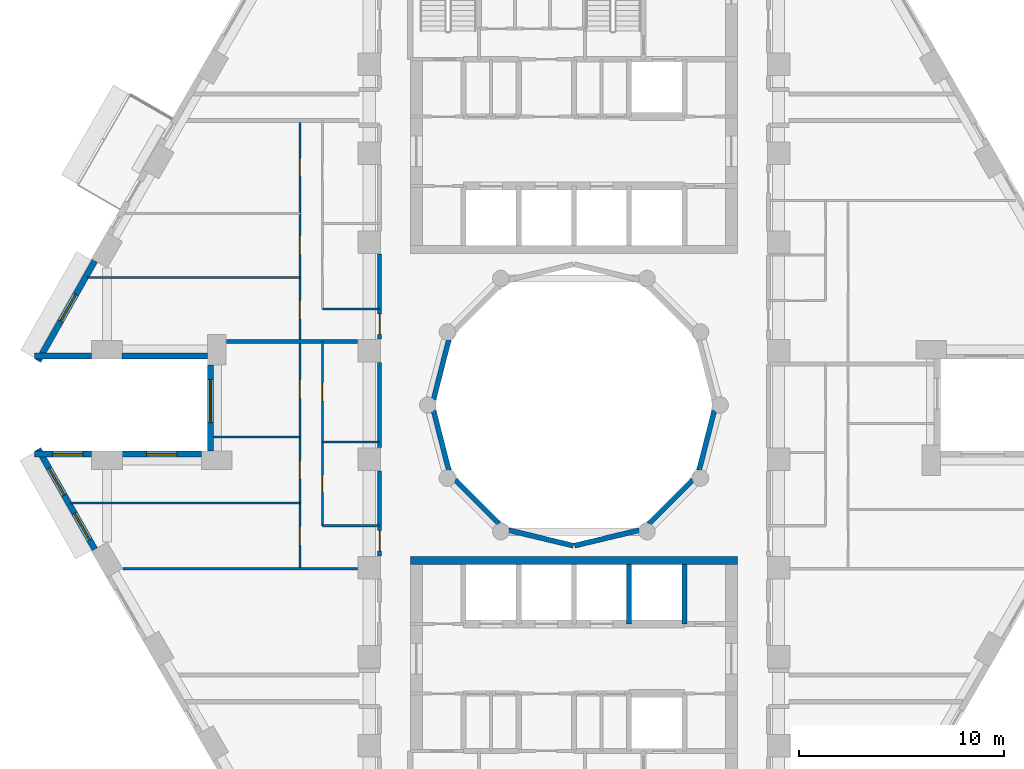
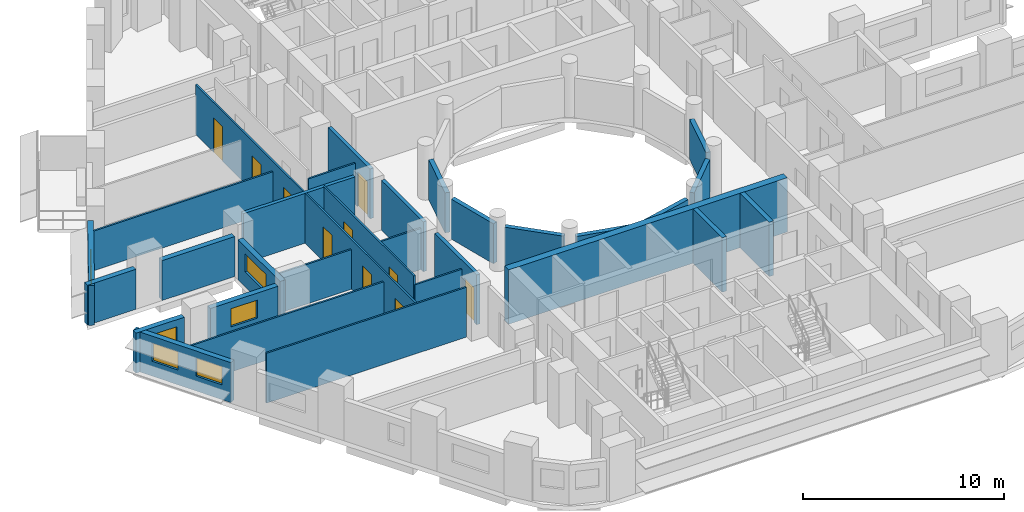
# One storey, part 4 of 13: 30 walls, 10 doors, 6 windows, 16 openings.
"""IFC4 building model written with IfcOpenShell, lengths in metres."""

import ifcopenshell
import ifcopenshell.guid

model = None  # the IFC model being written
_history = None  # IfcOwnerHistory: only IFC2X3 demands one
_inside = {}  # id of a spatial element -> (the spatial element, [elements in it])
_under = {}  # id of a project, library or spatial element -> (it, [spatial elements below it])
_declared = {}  # id of a project -> (the project, [libraries it declares])
_typed = {}  # id of a type object -> (the type object, [elements of that type])
_made_of = {}  # id of a material, layer set ... -> (it, [elements and type objects made of it])


def new_model(schema):
    """Start an empty IFC model of exactly this schema.

    Asked for "IFC4X3", IfcOpenShell would pick the latest addendum, in which some entities
    have other attributes; the version numbers below select the first issue.
    IFC2X3 requires an IfcOwnerHistory on every rooted entity: one is made here for all.
    """
    global model, _history
    if schema == "IFC4X3":
        model = ifcopenshell.file(schema_version=(4, 3, 0, 0))
    else:
        model = ifcopenshell.file(schema=schema)
    _inside.clear()
    _under.clear()
    _declared.clear()
    _typed.clear()
    _made_of.clear()
    _history = None
    if model.schema == "IFC2X3":
        org = make("IfcOrganization", Name="unknown")
        user = make(
            "IfcPersonAndOrganization",
            ThePerson=make("IfcPerson", FamilyName="unknown"),
            TheOrganization=org,
        )
        app = make(
            "IfcApplication",
            ApplicationDeveloper=org,
            Version="unknown",
            ApplicationFullName="unknown",
            ApplicationIdentifier="unknown",
        )
        _history = make(
            "IfcOwnerHistory",
            OwningUser=user,
            OwningApplication=app,
            ChangeAction="ADDED",
            CreationDate=0,
        )
    return model


def make(cls, **values):
    """One entity of the class cls with the attributes given. An attribute that is None is left unset."""
    return model.create_entity(
        cls, **{name: value for name, value in values.items() if value is not None}
    )


def rooted(cls, **values):
    """An entity with a GlobalId (a new one), such as an element, a storey or a relation."""
    return make(cls, GlobalId=ifcopenshell.guid.new(), OwnerHistory=_history, **values)


def si_unit(unit_type, name, prefix=None):
    """IfcSIUnit, for example si_unit("LENGTHUNIT", "METRE", prefix="MILLI")."""
    return make("IfcSIUnit", UnitType=unit_type, Prefix=prefix, Name=name)


def assignment(units):
    """IfcUnitAssignment: the units of a project."""
    return None if units is None else make("IfcUnitAssignment", Units=units)


def point(xyz):
    """IfcCartesianPoint."""
    return None if xyz is None else make("IfcCartesianPoint", Coordinates=xyz)


def direction(xyz):
    """IfcDirection."""
    return None if xyz is None else make("IfcDirection", DirectionRatios=xyz)


def frame(location, z_axis=None, x_axis=None):
    """IfcAxis2Placement3D, a coordinate frame: its origin and axes. An axis left out is left unset."""
    return make(
        "IfcAxis2Placement3D",
        Location=point(location),
        Axis=direction(z_axis),
        RefDirection=direction(x_axis),
    )


def frame_2d(location, x_axis=None):
    """IfcAxis2Placement2D, a coordinate frame in the plane: its origin and x axis."""
    return make(
        "IfcAxis2Placement2D", Location=point(location), RefDirection=direction(x_axis)
    )


def origin():
    """The frame at (0, 0, 0) with its axes left unset."""
    return frame((0.0, 0.0, 0.0))


def place(relative_to, where):
    """IfcLocalPlacement: puts the frame where relative to a parent placement (None: the world)."""
    return make(
        "IfcLocalPlacement", PlacementRelTo=relative_to, RelativePlacement=where
    )


def context(
    kind, dimensions, precision=None, world=None, true_north=None, identifier=None
):
    """IfcGeometricRepresentationContext, for example the 3D "Model" context."""
    return make(
        "IfcGeometricRepresentationContext",
        ContextIdentifier=identifier,
        ContextType=kind,
        CoordinateSpaceDimension=dimensions,
        Precision=precision,
        WorldCoordinateSystem=world,
        TrueNorth=true_north,
    )


def subcontext(parent, identifier, kind, view, scale=None):
    """IfcGeometricRepresentationSubContext, for example "Body" below "Model"."""
    return make(
        "IfcGeometricRepresentationSubContext",
        ContextIdentifier=identifier,
        ContextType=kind,
        ParentContext=parent,
        TargetScale=scale,
        TargetView=view,
    )


def project(units=None, contexts=None):
    """IfcProject with its units and contexts."""
    return rooted(
        "IfcProject",
        Name="project",
        RepresentationContexts=contexts,
        UnitsInContext=assignment(units),
    )


def spatial(cls, under=None, at=None, **own):
    """A site, building, storey or space (cls), placed at a placement, below another one or the project."""
    s = rooted(cls, ObjectPlacement=at, **own)
    if under is not None:
        _under.setdefault(under.id(), (under, []))[1].append(s)
    return s


def profile(cls, at=None, kind="AREA", **sizes):
    """A parametric profile (cls). Its sizes go by their IFC names, for example OverallWidth=200.0."""
    return make(cls, ProfileType=kind, Position=at, **sizes)


def rectangle(**sizes):
    """IfcRectangleProfileDef."""
    return profile("IfcRectangleProfileDef", **sizes)


def extrude(swept, where, along, depth):
    """IfcExtrudedAreaSolid: the profile swept, set in the frame where, extruded along a direction by depth."""
    return make(
        "IfcExtrudedAreaSolid",
        SweptArea=swept,
        Position=where,
        ExtrudedDirection=direction(along),
        Depth=depth,
    )


def shape(context_of_items, identifier, shape_type, items):
    """IfcShapeRepresentation: the items that make up one representation, for example the "Body"."""
    return make(
        "IfcShapeRepresentation",
        ContextOfItems=context_of_items,
        RepresentationIdentifier=identifier,
        RepresentationType=shape_type,
        Items=items,
    )


def material(Name=None, Category=None):
    """IfcMaterial."""
    return make("IfcMaterial", Name=Name, Category=Category)


def layer(
    of_material, thickness, ventilated=None, Name=None, Category=None, Priority=None
):
    """IfcMaterialLayer: one layer of a wall or slab, of a material (None: an air gap)."""
    return make(
        "IfcMaterialLayer",
        Material=of_material,
        LayerThickness=thickness,
        IsVentilated=ventilated,
        Name=Name,
        Category=Category,
        Priority=Priority,
    )


def layer_set(layers, Name=None):
    """IfcMaterialLayerSet."""
    return make("IfcMaterialLayerSet", MaterialLayers=layers, LayerSetName=Name)


def made_of(thing, what):
    """Note that an element or type object is made of a material, layer set ...; save() writes the relation."""
    if what is not None:
        _made_of.setdefault(what.id(), (what, []))[1].append(thing)
    return thing


def type_object(cls, material=None, **own):
    """A type object (cls), such as IfcWallType, which elements share."""
    return made_of(rooted(cls, **own), material)


def element(
    cls,
    number,
    at=None,
    inside=None,
    cuts=None,
    type_object=None,
    material=None,
    context=None,
    identifier="Body",
    shape_type=None,
    held_by="IfcProductDefinitionShape",
    body=None,
    shapes=None,
    **own,
):
    """One element of the class cls, such as IfcWall. Its Tag is "e" and its number.

    at: its placement. inside: the storey or other place that contains it. cuts: it is an
    opening in that element (IfcRelVoidsElement). A single representation is given by context,
    identifier, shape_type and body (its items); several are given by shapes. held_by: the class
    of the entity that holds the representations. save() writes the other relations.
    """
    e = rooted(cls, Tag="e%d" % number, ObjectPlacement=at, **own)
    if body is not None:
        shapes = [shape(context, identifier, shape_type, body)]
    if shapes is not None:
        e.Representation = make(held_by, Representations=shapes)
    if inside is not None:
        _inside.setdefault(inside.id(), (inside, []))[1].append(e)
    if cuts is not None:
        rooted(
            "IfcRelVoidsElement", RelatingBuildingElement=cuts, RelatedOpeningElement=e
        )
    if type_object is not None:
        _typed.setdefault(type_object.id(), (type_object, []))[1].append(e)
    return made_of(e, material)


def fill(opening, filler):
    """IfcRelFillsElement: the door or window that sits in an opening."""
    return rooted(
        "IfcRelFillsElement",
        RelatingOpeningElement=opening,
        RelatedBuildingElement=filler,
    )


def aggregate(whole, parts):
    """IfcRelAggregates: a whole, such as a stair, and the parts it consists of."""
    return rooted("IfcRelAggregates", RelatingObject=whole, RelatedObjects=parts)


def save(model, path):
    """Write the relations noted so far, then the file.

    IfcRelAggregates (storeys below a building ...), IfcRelContainedInSpatialStructure (elements
    in a storey), IfcRelDefinesByType, IfcRelAssociatesMaterial and IfcRelDeclares: one each for
    every whole, place, type object, material and project.
    """
    for whole, parts in _under.values():
        aggregate(whole, parts)
    for where, things in _inside.values():
        rooted(
            "IfcRelContainedInSpatialStructure",
            RelatedElements=things,
            RelatingStructure=where,
        )
    for kind, things in _typed.values():
        rooted("IfcRelDefinesByType", RelatedObjects=things, RelatingType=kind)
    for what, things in _made_of.values():
        rooted("IfcRelAssociatesMaterial", RelatedObjects=things, RelatingMaterial=what)
    for by, libraries in _declared.values():
        rooted("IfcRelDeclares", RelatingContext=by, RelatedDefinitions=libraries)
    model.write(path)


model = new_model("IFC4")

# Units and contexts
model_context = context("Model", 3, precision=1e-05, world=origin(), true_north=direction((0.0, 1.0)))
body_context = subcontext(model_context, "Body", "Model", "MODEL_VIEW")
ifc_project = project(units=[si_unit("LENGTHUNIT", "METRE"), si_unit("AREAUNIT", "SQUARE_METRE"), si_unit("VOLUMEUNIT", "CUBIC_METRE"), si_unit("PLANEANGLEUNIT", "RADIAN"), si_unit("MASSUNIT", "GRAM", prefix="KILO")], contexts=[model_context])

# Site, building, storey
site_placement = place(None, origin())
site = spatial("IfcSite", under=ifc_project, at=site_placement, CompositionType="ELEMENT")
building_placement = place(site_placement, origin())
building = spatial("IfcBuilding", under=site, at=building_placement, Name="Nakaniwa Court", CompositionType="ELEMENT")
storey_placement = place(building_placement, frame((0.0, 0.0, 48.0)))
storey = spatial("IfcBuildingStorey", under=building, at=storey_placement, Name="L12", CompositionType="ELEMENT", Elevation=48.0)

# Wall, opening, door
ifc_material_1 = material(Name="Acoustic double stud partition")
ifc_layer_1 = layer(ifc_material_1, 0.199951171875)
ifc_layer_set_1 = layer_set([ifc_layer_1], Name="Acoustic double stud partition")
wall_type_1 = type_object("IfcWallType", Name="Acoustic double stud partition 200", PredefinedType="PARTITIONING", material=ifc_layer_set_1)
wall_1_placement = place(storey_placement, frame((70.5, 72.616943359375, 0.0), z_axis=(0.0, 0.0, 1.0), x_axis=(0.0, 1.0, 0.0)))
wall_1 = element("IfcWall", 1, at=wall_1_placement, inside=storey, type_object=wall_type_1, Name="Partition PW-105", PredefinedType="PARTITIONING", context=body_context, shape_type="SweptSolid", body=[
    extrude(rectangle(XDim=4.166015625, YDim=0.199951171875, at=frame_2d((2.0830078125, 0.0))), origin(), (0.0, 0.0, 1.0), 3.02490234375),
])
opening_1_placement = place(wall_1_placement, frame((0.242919921875, 0.0, 0.0)))
opening_1 = element("IfcOpeningElement", 2, at=opening_1_placement, cuts=wall_1, Name="Opening D-01-03", PredefinedType="OPENING", context=body_context, shape_type="SweptSolid", body=[
    extrude(rectangle(XDim=1.0, YDim=2.10009765625, at=frame_2d((0.5, 1.050048828125))), frame((0.0, 0.10986328125, 0.0), z_axis=(0.0, -1.0, 0.0), x_axis=(1.0, 0.0, 0.0)), (0.0, 0.0, 1.0), 0.219970703125),
])
ifc_material_2 = material(Name="Solid core timber door set, black veneer", Category="wood")
door_type_1 = type_object("IfcDoorType", Name="Flat entrance door 1000", OperationType="NOTDEFINED", PredefinedType="DOOR", material=ifc_material_2)
door_1_placement = place(opening_1_placement, origin())
door_1 = element("IfcDoor", 3, at=door_1_placement, inside=storey, type_object=door_type_1, Name="Door D-01-03 L12-044", OperationType="SINGLE_SWING_LEFT", OverallHeight=2.10009765625, OverallWidth=1.0, PredefinedType="DOOR", context=body_context, shape_type="SweptSolid", body=[
    extrude(rectangle(XDim=1.0, YDim=2.10009765625, at=frame_2d((0.5, 1.050048828125))), frame((0.0, 0.02490234375, 0.0), z_axis=(0.0, -1.0, 0.0), x_axis=(1.0, 0.0, 0.0)), (0.0, 0.0, 1.0), 0.050048828125),
])
fill(opening_1, door_1)

# Wall
wall_2_placement = place(storey_placement, frame((70.5, 77.9169921875, 0.0), z_axis=(0.0, 0.0, 1.0), x_axis=(0.0, 1.0, 0.0)))
element("IfcWall", 4, at=wall_2_placement, inside=storey, type_object=wall_type_1, Name="Partition PW-106", PredefinedType="PARTITIONING", context=body_context, shape_type="SweptSolid", body=[
    extrude(rectangle(XDim=4.166015625, YDim=0.199951171875, at=frame_2d((2.0830078125, 0.0))), origin(), (0.0, 0.0, 1.0), 3.02490234375),
])

# Wall, opening, door
wall_3_placement = place(storey_placement, frame((70.5, 83.217041015625, 0.0), z_axis=(0.0, 0.0, 1.0), x_axis=(0.0, 1.0, 0.0)))
wall_3 = element("IfcWall", 5, at=wall_3_placement, inside=storey, type_object=wall_type_1, Name="Partition PW-107", PredefinedType="PARTITIONING", context=body_context, shape_type="SweptSolid", body=[
    extrude(rectangle(XDim=4.166015625, YDim=0.199951171875, at=frame_2d((2.0830078125, 0.0))), origin(), (0.0, 0.0, 1.0), 3.02490234375),
])
opening_2_placement = place(wall_3_placement, frame((0.242919921875, 0.0, 0.0)))
opening_2 = element("IfcOpeningElement", 6, at=opening_2_placement, cuts=wall_3, Name="Opening D-01-04", PredefinedType="OPENING", context=body_context, shape_type="SweptSolid", body=[
    extrude(rectangle(XDim=1.0, YDim=2.10009765625, at=frame_2d((0.5, 1.050048828125))), frame((0.0, 0.10986328125, 0.0), z_axis=(0.0, -1.0, 0.0), x_axis=(1.0, 0.0, 0.0)), (0.0, 0.0, 1.0), 0.219970703125),
])
door_2_placement = place(opening_2_placement, origin())
door_2 = element("IfcDoor", 7, at=door_2_placement, inside=storey, type_object=door_type_1, Name="Door D-01-04 L12-050", OperationType="SINGLE_SWING_LEFT", OverallHeight=2.10009765625, OverallWidth=1.0, PredefinedType="DOOR", context=body_context, shape_type="SweptSolid", body=[
    extrude(rectangle(XDim=1.0, YDim=2.10009765625, at=frame_2d((0.5, 1.050048828125))), frame((0.0, 0.02490234375, 0.0), z_axis=(0.0, -1.0, 0.0), x_axis=(1.0, 0.0, 0.0)), (0.0, 0.0, 1.0), 0.050048828125),
])
fill(opening_2, door_2)

# Wall
wall_4_placement = place(storey_placement, frame((63.01171875, 83.10009765625, 0.0), z_axis=(0.0, 0.0, 1.0), x_axis=(1.0, 0.0, 0.0)))
element("IfcWall", 8, at=wall_4_placement, inside=storey, type_object=wall_type_1, Name="Partition PW-130", PredefinedType="PARTITIONING", context=body_context, shape_type="SweptSolid", body=[
    extrude(rectangle(XDim=6.418212890625, YDim=0.199951171875, at=frame_2d((3.208984375, 0.0))), origin(), (0.0, 0.0, 1.0), 3.02490234375),
])

# Wall, opening, window
ifc_material_3 = material(Name="Charcoal ceramic cladding")
ifc_layer_2 = layer(ifc_material_3, 0.02, Name="Ceramic cladding")
ifc_material_4 = material(Name="Ventilated air cavity")
ifc_layer_3 = layer(ifc_material_4, 0.04, ventilated=True, Name="Ventilated cavity")
ifc_material_5 = material(Name="Mineral wool insulation")
ifc_layer_4 = layer(ifc_material_5, 0.1, Name="Insulation")
ifc_material_6 = material(Name="Cement bonded sheathing board")
ifc_layer_5 = layer(ifc_material_6, 0.012, Name="Sheathing")
ifc_material_7 = material(Name="Cold-formed galvanised stud frame with mineral wool infill")
ifc_layer_6 = layer(ifc_material_7, 0.1, Name="Stud frame")
ifc_material_8 = material(Name="Fire-rated gypsum plasterboard lining")
ifc_layer_7 = layer(ifc_material_8, 0.028, Name="Lining")
ifc_layer_set_2 = layer_set([ifc_layer_2, ifc_layer_3, ifc_layer_4, ifc_layer_5, ifc_layer_6, ifc_layer_7], Name="Charcoal ceramic faced external wall system")
wall_type_2 = type_object("IfcWallType", Name="Black ceramic faced external wall 300", PredefinedType="SOLIDWALL", material=ifc_layer_set_2)
wall_5_placement = place(storey_placement, frame((56.584228515625, 87.050537109375, 0.0), z_axis=(0.0, 0.0, 1.0), x_axis=(-0.492363204642, -0.870389840655, 0.0)))
wall_5 = element("IfcWall", 9, at=wall_5_placement, inside=storey, type_object=wall_type_2, Name="L12 external wall 14", PredefinedType="SOLIDWALL", context=body_context, shape_type="SweptSolid", body=[
    extrude(rectangle(XDim=5.62646484375, YDim=0.300048828125, at=frame_2d((2.813232421875, 0.0))), origin(), (0.0, 0.0, 1.0), 2.425048828125),
])
opening_3_placement = place(wall_5_placement, frame((1.8916015625, 0.0, 0.89990234375)))
opening_3 = element("IfcOpeningElement", 10, at=opening_3_placement, cuts=wall_5, Name="Opening W5.15", PredefinedType="OPENING", context=body_context, shape_type="SweptSolid", body=[
    extrude(rectangle(XDim=1.5, YDim=1.10009765625, at=frame_2d((0.75, 0.550048828125))), frame((0.0, 0.159912109375, 0.0), z_axis=(0.0, -1.0, 0.0), x_axis=(1.0, 0.0, 0.0)), (0.0, 0.0, 1.0), 0.320068359375),
])
ifc_material_9 = material(Name="Black anodised aluminium frame with dark low-E laminated double glazing", Category="aluminium")
window_type_1 = type_object("IfcWindowType", Name="Dark glass window 1500x1100 sill 900", PartitioningType="SINGLE_PANEL", PredefinedType="WINDOW", material=ifc_material_9)
window_1_placement = place(opening_3_placement, origin())
window_1 = element("IfcWindow", 11, at=window_1_placement, inside=storey, type_object=window_type_1, Name="L12 bedroom window 14-1", OverallHeight=1.10009765625, OverallWidth=1.5, PartitioningType="SINGLE_PANEL", PredefinedType="WINDOW", context=body_context, shape_type="SweptSolid", body=[
    extrude(rectangle(XDim=1.5, YDim=1.10009765625, at=frame_2d((0.75, 0.550048828125))), frame((0.0, 0.030029296875, 0.0), z_axis=(0.0, -1.0, 0.0), x_axis=(1.0, 0.0, 0.0)), (0.0, 0.0, 1.0), 0.06005859375),
])
fill(opening_3, window_1)

# Walls
wall_6_placement = place(storey_placement, frame((53.643310546875, 82.39990234375, 0.0), z_axis=(0.0, 0.0, 1.0), x_axis=(1.0, 0.0, 0.0)))
element("IfcWall", 12, at=wall_6_placement, inside=storey, type_object=wall_type_2, Name="L12 external wall 15", PredefinedType="SOLIDWALL", context=body_context, shape_type="SweptSolid", body=[
    extrude(rectangle(XDim=2.787841796875, YDim=0.300048828125, at=frame_2d((1.39404296875, 0.0))), origin(), (0.0, 0.0, 1.0), 2.425048828125),
])
wall_7_placement = place(storey_placement, frame((57.923095703125, 82.39990234375, 0.0), z_axis=(0.0, 0.0, 1.0), x_axis=(1.0, 0.0, 0.0)))
element("IfcWall", 13, at=wall_7_placement, inside=storey, type_object=wall_type_2, Name="L12 external wall 16", PredefinedType="SOLIDWALL", context=body_context, shape_type="SweptSolid", body=[
    extrude(rectangle(XDim=4.172607421875, YDim=0.300048828125, at=frame_2d((2.08642578125, 0.0))), origin(), (0.0, 0.0, 1.0), 2.425048828125),
])

# Wall, opening, window
wall_8_placement = place(storey_placement, frame((62.24169921875, 81.9541015625, 0.0), z_axis=(0.0, 0.0, 1.0), x_axis=(0.0, -1.0, 0.0)))
wall_8 = element("IfcWall", 14, at=wall_8_placement, inside=storey, type_object=wall_type_2, Name="L12 external wall 17", PredefinedType="SOLIDWALL", context=body_context, shape_type="SweptSolid", body=[
    extrude(rectangle(XDim=4.2080078125, YDim=0.300048828125, at=frame_2d((2.10400390625, 0.0))), origin(), (0.0, 0.0, 1.0), 2.425048828125),
])
opening_4_placement = place(wall_8_placement, frame((0.71630859375, 0.0, 0.89990234375)))
opening_4 = element("IfcOpeningElement", 15, at=opening_4_placement, cuts=wall_8, Name="Opening W7.16", PredefinedType="OPENING", context=body_context, shape_type="SweptSolid", body=[
    extrude(rectangle(XDim=2.10009765625, YDim=1.10009765625, at=frame_2d((1.050048828125, 0.550048828125))), frame((0.0, 0.159912109375, 0.0), z_axis=(0.0, -1.0, 0.0), x_axis=(1.0, 0.0, 0.0)), (0.0, 0.0, 1.0), 0.320068359375),
])
window_type_2 = type_object("IfcWindowType", Name="Dark glass window 2100x1100 sill 900", PartitioningType="SINGLE_PANEL", PredefinedType="WINDOW", material=ifc_material_9)
window_2_placement = place(opening_4_placement, origin())
window_2 = element("IfcWindow", 16, at=window_2_placement, inside=storey, type_object=window_type_2, Name="L12 living window 17-0", OverallHeight=1.10009765625, OverallWidth=2.10009765625, PartitioningType="SINGLE_PANEL", PredefinedType="WINDOW", context=body_context, shape_type="SweptSolid", body=[
    extrude(rectangle(XDim=2.10009765625, YDim=1.10009765625, at=frame_2d((1.050048828125, 0.550048828125))), frame((0.0, 0.030029296875, 0.0), z_axis=(0.0, -1.0, 0.0), x_axis=(1.0, 0.0, 0.0)), (0.0, 0.0, 1.0), 0.06005859375),
])
fill(opening_4, window_2)

wall_9_placement = place(storey_placement, frame((61.795654296875, 77.60009765625, 0.0), z_axis=(0.0, 0.0, 1.0), x_axis=(-1.0, 0.0, 0.0)))
wall_9 = element("IfcWall", 17, at=wall_9_placement, inside=storey, type_object=wall_type_2, Name="L12 external wall 18", PredefinedType="SOLIDWALL", context=body_context, shape_type="SweptSolid", body=[
    extrude(rectangle(XDim=3.87255859375, YDim=0.300048828125, at=frame_2d((1.936279296875, 0.0))), origin(), (0.0, 0.0, 1.0), 2.425048828125),
])
opening_5_placement = place(wall_9_placement, frame((1.186279296875, 0.0, 0.89990234375)))
opening_5 = element("IfcOpeningElement", 18, at=opening_5_placement, cuts=wall_9, Name="Opening W5.17", PredefinedType="OPENING", context=body_context, shape_type="SweptSolid", body=[
    extrude(rectangle(XDim=1.5, YDim=1.10009765625, at=frame_2d((0.75, 0.550048828125))), frame((0.0, 0.159912109375, 0.0), z_axis=(0.0, -1.0, 0.0), x_axis=(1.0, 0.0, 0.0)), (0.0, 0.0, 1.0), 0.320068359375),
])
window_3_placement = place(opening_5_placement, origin())
window_3 = element("IfcWindow", 19, at=window_3_placement, inside=storey, type_object=window_type_1, Name="L12 bedroom window 18-0", OverallHeight=1.10009765625, OverallWidth=1.5, PartitioningType="SINGLE_PANEL", PredefinedType="WINDOW", context=body_context, shape_type="SweptSolid", body=[
    extrude(rectangle(XDim=1.5, YDim=1.10009765625, at=frame_2d((0.75, 0.550048828125))), frame((0.0, 0.030029296875, 0.0), z_axis=(0.0, -1.0, 0.0), x_axis=(1.0, 0.0, 0.0)), (0.0, 0.0, 1.0), 0.06005859375),
])
fill(opening_5, window_3)

wall_10_placement = place(storey_placement, frame((56.43115234375, 77.60009765625, 0.0), z_axis=(0.0, 0.0, 1.0), x_axis=(-1.0, 0.0, 0.0)))
wall_10 = element("IfcWall", 20, at=wall_10_placement, inside=storey, type_object=wall_type_2, Name="L12 external wall 19", PredefinedType="SOLIDWALL", context=body_context, shape_type="SweptSolid", body=[
    extrude(rectangle(XDim=2.787841796875, YDim=0.300048828125, at=frame_2d((1.39404296875, 0.0))), origin(), (0.0, 0.0, 1.0), 2.425048828125),
])
opening_6_placement = place(wall_10_placement, frame((0.4189453125, 0.0, 0.89990234375)))
opening_6 = element("IfcOpeningElement", 21, at=opening_6_placement, cuts=wall_10, Name="Opening W5.18", PredefinedType="OPENING", context=body_context, shape_type="SweptSolid", body=[
    extrude(rectangle(XDim=1.5, YDim=1.10009765625, at=frame_2d((0.75, 0.550048828125))), frame((0.0, 0.159912109375, 0.0), z_axis=(0.0, -1.0, 0.0), x_axis=(1.0, 0.0, 0.0)), (0.0, 0.0, 1.0), 0.320068359375),
])
window_4_placement = place(opening_6_placement, origin())
window_4 = element("IfcWindow", 22, at=window_4_placement, inside=storey, type_object=window_type_1, Name="L12 bedroom window 19-0", OverallHeight=1.10009765625, OverallWidth=1.5, PartitioningType="SINGLE_PANEL", PredefinedType="WINDOW", context=body_context, shape_type="SweptSolid", body=[
    extrude(rectangle(XDim=1.5, YDim=1.10009765625, at=frame_2d((0.75, 0.550048828125))), frame((0.0, 0.030029296875, 0.0), z_axis=(0.0, -1.0, 0.0), x_axis=(1.0, 0.0, 0.0)), (0.0, 0.0, 1.0), 0.06005859375),
])
fill(opening_6, window_4)

# Wall, openings, windows
wall_11_placement = place(storey_placement, frame((53.81396484375, 77.8466796875, 0.0), z_axis=(0.0, 0.0, 1.0), x_axis=(0.492363204642, -0.870389840655, 0.0)))
wall_11 = element("IfcWall", 23, at=wall_11_placement, inside=storey, type_object=wall_type_2, Name="L12 external wall 20", PredefinedType="SOLIDWALL", context=body_context, shape_type="SweptSolid", body=[
    extrude(rectangle(XDim=5.62646484375, YDim=0.300048828125, at=frame_2d((2.813232421875, 0.0))), origin(), (0.0, 0.0, 1.0), 2.425048828125),
])
opening_7_placement = place(wall_11_placement, frame((1.081298828125, 0.0, 0.89990234375)))
opening_7 = element("IfcOpeningElement", 24, at=opening_7_placement, cuts=wall_11, Name="Opening W5.19", PredefinedType="OPENING", context=body_context, shape_type="SweptSolid", body=[
    extrude(rectangle(XDim=1.5, YDim=1.10009765625, at=frame_2d((0.75, 0.550048828125))), frame((0.0, 0.159912109375, 0.0), z_axis=(0.0, -1.0, 0.0), x_axis=(1.0, 0.0, 0.0)), (0.0, 0.0, 1.0), 0.320068359375),
])
opening_8_placement = place(wall_11_placement, frame((3.60595703125, 0.0, 0.89990234375)))
opening_8 = element("IfcOpeningElement", 25, at=opening_8_placement, cuts=wall_11, Name="Opening W5.20", PredefinedType="OPENING", context=body_context, shape_type="SweptSolid", body=[
    extrude(rectangle(XDim=1.5, YDim=1.10009765625, at=frame_2d((0.75, 0.550048828125))), frame((0.0, 0.159912109375, 0.0), z_axis=(0.0, -1.0, 0.0), x_axis=(1.0, 0.0, 0.0)), (0.0, 0.0, 1.0), 0.320068359375),
])
window_5_placement = place(opening_7_placement, origin())
window_5 = element("IfcWindow", 26, at=window_5_placement, inside=storey, type_object=window_type_1, Name="L12 bedroom window 20-0", OverallHeight=1.10009765625, OverallWidth=1.5, PartitioningType="SINGLE_PANEL", PredefinedType="WINDOW", context=body_context, shape_type="SweptSolid", body=[
    extrude(rectangle(XDim=1.5, YDim=1.10009765625, at=frame_2d((0.75, 0.550048828125))), frame((0.0, 0.030029296875, 0.0), z_axis=(0.0, -1.0, 0.0), x_axis=(1.0, 0.0, 0.0)), (0.0, 0.0, 1.0), 0.06005859375),
])
fill(opening_7, window_5)
window_6_placement = place(opening_8_placement, origin())
window_6 = element("IfcWindow", 27, at=window_6_placement, inside=storey, type_object=window_type_1, Name="L12 bedroom window 20-1", OverallHeight=1.10009765625, OverallWidth=1.5, PartitioningType="SINGLE_PANEL", PredefinedType="WINDOW", context=body_context, shape_type="SweptSolid", body=[
    extrude(rectangle(XDim=1.5, YDim=1.10009765625, at=frame_2d((0.75, 0.550048828125))), frame((0.0, 0.030029296875, 0.0), z_axis=(0.0, -1.0, 0.0), x_axis=(1.0, 0.0, 0.0)), (0.0, 0.0, 1.0), 0.06005859375),
])
fill(opening_8, window_6)

# Walls
ifc_layer_8 = layer(ifc_material_3, 0.02, Name="Ceramic cladding")
ifc_layer_9 = layer(ifc_material_4, 0.04, ventilated=True, Name="Ventilated cavity")
ifc_layer_10 = layer(ifc_material_5, 0.075, Name="Insulation")
ifc_layer_11 = layer(ifc_material_6, 0.012, Name="Sheathing")
ifc_layer_12 = layer(ifc_material_7, 0.075, Name="Stud frame")
ifc_layer_13 = layer(ifc_material_8, 0.028, Name="Lining")
ifc_layer_set_3 = layer_set([ifc_layer_8, ifc_layer_9, ifc_layer_10, ifc_layer_11, ifc_layer_12, ifc_layer_13], Name="Charcoal ceramic faced external wall system")
wall_type_3 = type_object("IfcWallType", Name="Charcoal ceramic faced well wall 250", PredefinedType="SOLIDWALL", material=ifc_layer_set_3)
wall_12_placement = place(storey_placement, frame((86.8603515625, 79.72998046875, 0.0), z_axis=(0.0, 0.0, 1.0), x_axis=(-0.247055971283, -0.969001211069, 0.0)))
element("IfcWall", 28, at=wall_12_placement, inside=storey, type_object=wall_type_3, Name="L12 external wall 36", PredefinedType="SOLIDWALL", context=body_context, shape_type="SweptSolid", body=[
    extrude(rectangle(XDim=3.010009765625, YDim=0.25, at=frame_2d((1.5048828125, 0.0))), origin(), (0.0, 0.0, 1.0), 2.425048828125),
])
wall_13_placement = place(storey_placement, frame((85.8056640625, 76.339111328125, 0.0), z_axis=(0.0, 0.0, 1.0), x_axis=(-0.707106781187, -0.707106781187, 0.0)))
element("IfcWall", 29, at=wall_13_placement, inside=storey, type_object=wall_type_3, Name="L12 external wall 37", PredefinedType="SOLIDWALL", context=body_context, shape_type="SweptSolid", body=[
    extrude(rectangle(XDim=3.033203125, YDim=0.25, at=frame_2d((1.5166015625, 0.0))), origin(), (0.0, 0.0, 1.0), 2.425048828125),
])
for number, where, z_axis, x_axis, name in (
    (30, (83.186279296875, 73.880615234375, 0.0), (0.0, 0.0, 1.0), (-0.972773113459, -0.231759508395, 0.0), "L12 external wall 38"),
    (31, (79.970947265625, 73.12841796875, 0.0), (0.0, 0.0, 1.0), (-0.972773113459, 0.231759508395, 0.0), "L12 external wall 39"),
):
    element("IfcWall", number, at=place(storey_placement, frame(where, z_axis=z_axis, x_axis=x_axis)), inside=storey, type_object=wall_type_3, Name=name, PredefinedType="SOLIDWALL", context=body_context, shape_type="SweptSolid", body=[
        extrude(rectangle(XDim=3.24560546875, YDim=0.25, at=frame_2d((1.622802734375, 0.0))), origin(), (0.0, 0.0, 1.0), 2.425048828125),
    ])
wall_14_placement = place(storey_placement, frame((76.339111328125, 74.1943359375, 0.0), z_axis=(0.0, 0.0, 1.0), x_axis=(-0.707106781187, 0.707106781187, 0.0)))
element("IfcWall", 32, at=wall_14_placement, inside=storey, type_object=wall_type_3, Name="L12 external wall 40", PredefinedType="SOLIDWALL", context=body_context, shape_type="SweptSolid", body=[
    extrude(rectangle(XDim=3.033203125, YDim=0.25, at=frame_2d((1.5166015625, 0.0))), origin(), (0.0, 0.0, 1.0), 2.425048828125),
])
for number, where, z_axis, x_axis, name in (
    (33, (73.88330078125, 76.813232421875, 0.0), (0.0, 0.0, 1.0), (-0.247055971283, 0.969001211069, 0.0), "L12 external wall 41"),
    (34, (73.1396484375, 80.27001953125, 0.0), (0.0, 0.0, 1.0), (0.247055971283, 0.969001211069, 0.0), "L12 external wall 42"),
):
    element("IfcWall", number, at=place(storey_placement, frame(where, z_axis=z_axis, x_axis=x_axis)), inside=storey, type_object=wall_type_3, Name=name, PredefinedType="SOLIDWALL", context=body_context, shape_type="SweptSolid", body=[
        extrude(rectangle(XDim=3.010009765625, YDim=0.25, at=frame_2d((1.5048828125, 0.0))), origin(), (0.0, 0.0, 1.0), 2.425048828125),
    ])
ifc_material_10 = material(Name="Concrete C100/115", Category="concrete")
ifc_layer_14 = layer(ifc_material_10, 0.39990234375)
ifc_layer_set_4 = layer_set([ifc_layer_14], Name="Concrete C100/115")
wall_type_4 = type_object("IfcWallType", Name="Concrete core well wall 400 C100", PredefinedType="SHEAR", material=ifc_layer_set_4)
wall_15_placement = place(storey_placement, frame((72.00390625, 72.39990234375, -0.27490234375), z_axis=(0.0, 0.0, 1.0), x_axis=(1.0, 0.0, 0.0)))
element("IfcWall", 35, at=wall_15_placement, inside=storey, type_object=wall_type_4, Name="Core wall SW-140", PredefinedType="SHEAR", context=body_context, shape_type="SweptSolid", body=[
    extrude(rectangle(XDim=15.9921875, YDim=0.39990234375, at=frame_2d((7.99609375, 0.0))), origin(), (0.0, 0.0, 1.0), 3.2998046875),
])
ifc_layer_15 = layer(ifc_material_10, 0.25)
ifc_layer_set_5 = layer_set([ifc_layer_15], Name="Concrete C100/115")
wall_type_5 = type_object("IfcWallType", Name="Concrete shaft wall 250 C100", PredefinedType="SHEAR", material=ifc_layer_set_5)
for number, where, z_axis, x_axis, name in (
    (36, (82.699951171875, 69.300048828125, -0.27490234375), (0.0, 0.0, 1.0), (0.0, 1.0, 0.0), "Core wall SW-47"),
    (37, (85.39990234375, 69.300048828125, -0.27490234375), (0.0, 0.0, 1.0), (0.0, 1.0, 0.0), "Core wall SW-49"),
):
    element("IfcWall", number, at=place(storey_placement, frame(where, z_axis=z_axis, x_axis=x_axis)), inside=storey, type_object=wall_type_5, Name=name, PredefinedType="SHEAR", context=body_context, shape_type="SweptSolid", body=[
        extrude(rectangle(XDim=2.89990234375, YDim=0.25, at=frame_2d((1.449951171875, 0.0))), origin(), (0.0, 0.0, 1.0), 3.2998046875),
    ])
ifc_material_11 = material(Name="Single stud plasterboard partition")
ifc_layer_16 = layer(ifc_material_11, 0.10009765625)
ifc_layer_set_6 = layer_set([ifc_layer_16], Name="Single stud plasterboard partition")
wall_type_6 = type_object("IfcWallType", Name="Single stud plasterboard partition 100", PredefinedType="PARTITIONING", material=ifc_layer_set_6)
wall_16_placement = place(storey_placement, frame((67.699951171875, 74.10009765625, 0.0), z_axis=(0.0, 0.0, 1.0), x_axis=(1.0, 0.0, 0.0)))
element("IfcWall", 38, at=wall_16_placement, inside=storey, type_object=wall_type_6, Name="Partition PW-114", PredefinedType="PARTITIONING", context=body_context, shape_type="SweptSolid", body=[
    extrude(rectangle(XDim=2.800048828125, YDim=0.10009765625, at=frame_2d((1.39990234375, 0.0))), origin(), (0.0, 0.0, 1.0), 2.5048828125),
])
wall_17_placement = place(storey_placement, frame((57.96826171875, 72.0, 0.0), z_axis=(0.0, 0.0, 1.0), x_axis=(1.0, 0.0, 0.0)))
element("IfcWall", 39, at=wall_17_placement, inside=storey, type_object=wall_type_6, Name="Partition PW-120", PredefinedType="PARTITIONING", context=body_context, shape_type="SweptSolid", body=[
    extrude(rectangle(XDim=11.461669921875, YDim=0.10009765625, at=frame_2d((5.73095703125, 0.0))), origin(), (0.0, 0.0, 1.0), 3.02490234375),
])
wall_18_placement = place(storey_placement, frame((67.699951171875, 78.19091796875, 0.0), z_axis=(0.0, 0.0, 1.0), x_axis=(1.0, 0.0, 0.0)))
element("IfcWall", 40, at=wall_18_placement, inside=storey, type_object=wall_type_6, Name="Partition PW-127", PredefinedType="PARTITIONING", context=body_context, shape_type="SweptSolid", body=[
    extrude(rectangle(XDim=2.800048828125, YDim=0.10009765625, at=frame_2d((1.39990234375, 0.0))), origin(), (0.0, 0.0, 1.0), 2.5048828125),
])

# Wall, openings, doors
wall_19_placement = place(storey_placement, frame((67.699951171875, 83.10009765625, 0.0), z_axis=(0.0, 0.0, 1.0), x_axis=(0.0, -1.0, 0.0)))
wall_19 = element("IfcWall", 41, at=wall_19_placement, inside=storey, type_object=wall_type_6, Name="Partition PW-128", PredefinedType="PARTITIONING", context=body_context, shape_type="SweptSolid", body=[
    extrude(rectangle(XDim=9.0, YDim=0.10009765625, at=frame_2d((4.5, 0.0))), origin(), (0.0, 0.0, 1.0), 3.02490234375),
])
opening_9_placement = place(wall_19_placement, frame((6.530029296875, 0.0, 0.0)))
opening_9 = element("IfcOpeningElement", 42, at=opening_9_placement, cuts=wall_19, Name="Opening D-03-03", PredefinedType="OPENING", context=body_context, shape_type="SweptSolid", body=[
    extrude(rectangle(XDim=0.85009765625, YDim=2.10009765625, at=frame_2d((0.425048828125, 1.050048828125))), frame((0.0, 0.06005859375, 0.0), z_axis=(0.0, -1.0, 0.0), x_axis=(1.0, 0.0, 0.0)), (0.0, 0.0, 1.0), 0.1201171875),
])
opening_10_placement = place(wall_19_placement, frame((2.0048828125, 0.0, 0.0)))
opening_10 = element("IfcOpeningElement", 43, at=opening_10_placement, cuts=wall_19, Name="Opening D-33-07", PredefinedType="OPENING", context=body_context, shape_type="SweptSolid", body=[
    extrude(rectangle(XDim=0.89990234375, YDim=2.10009765625, at=frame_2d((0.449951171875, 1.050048828125))), frame((0.0, 0.06005859375, 0.0), z_axis=(0.0, -1.0, 0.0), x_axis=(1.0, 0.0, 0.0)), (0.0, 0.0, 1.0), 0.1201171875),
])
ifc_material_12 = material(Name="Moisture sealed timber door set", Category="wood")
door_type_2 = type_object("IfcDoorType", Name="Bathroom door 850", OperationType="NOTDEFINED", PredefinedType="DOOR", material=ifc_material_12)
door_3_placement = place(opening_9_placement, origin())
door_3 = element("IfcDoor", 44, at=door_3_placement, inside=storey, type_object=door_type_2, Name="Door D-03-03 L12-045", OperationType="SINGLE_SWING_RIGHT", OverallHeight=2.10009765625, OverallWidth=0.85009765625, PredefinedType="DOOR", context=body_context, shape_type="SweptSolid", body=[
    extrude(rectangle(XDim=0.85009765625, YDim=2.10009765625, at=frame_2d((0.425048828125, 1.050048828125))), frame((0.0, 0.02490234375, 0.0), z_axis=(0.0, -1.0, 0.0), x_axis=(1.0, 0.0, 0.0)), (0.0, 0.0, 1.0), 0.050048828125),
])
fill(opening_9, door_3)
door_type_3 = type_object("IfcDoorType", Name="Internal door 900", OperationType="NOTDEFINED", PredefinedType="DOOR", material=ifc_material_2)
door_4_placement = place(opening_10_placement, origin())
door_4 = element("IfcDoor", 45, at=door_4_placement, inside=storey, type_object=door_type_3, Name="Door D-33-07 L12-046", OperationType="SINGLE_SWING_LEFT", OverallHeight=2.10009765625, OverallWidth=0.89990234375, PredefinedType="DOOR", context=body_context, shape_type="SweptSolid", body=[
    extrude(rectangle(XDim=0.89990234375, YDim=2.10009765625, at=frame_2d((0.449951171875, 1.050048828125))), frame((0.0, 0.02490234375, 0.0), z_axis=(0.0, -1.0, 0.0), x_axis=(1.0, 0.0, 0.0)), (0.0, 0.0, 1.0), 0.050048828125),
])
fill(opening_10, door_4)

wall_20_placement = place(storey_placement, frame((66.60009765625, 72.0, 0.0), z_axis=(0.0, 0.0, 1.0), x_axis=(0.0, 1.0, 0.0)))
wall_20 = element("IfcWall", 46, at=wall_20_placement, inside=storey, type_object=wall_type_6, Name="Partition PW-131", PredefinedType="PARTITIONING", context=body_context, shape_type="SweptSolid", body=[
    extrude(rectangle(XDim=21.89990234375, YDim=0.10009765625, at=frame_2d((10.949951171875, 0.0))), origin(), (0.0, 0.0, 1.0), 3.02490234375),
])
opening_11_placement = place(wall_20_placement, frame((1.160888671875, 0.0, 0.0)))
opening_11 = element("IfcOpeningElement", 47, at=opening_11_placement, cuts=wall_20, Name="Opening D-33-08", PredefinedType="OPENING", context=body_context, shape_type="SweptSolid", body=[
    extrude(rectangle(XDim=0.89990234375, YDim=2.10009765625, at=frame_2d((0.449951171875, 1.050048828125))), frame((0.0, 0.06005859375, 0.0), z_axis=(0.0, -1.0, 0.0), x_axis=(1.0, 0.0, 0.0)), (0.0, 0.0, 1.0), 0.1201171875),
])
opening_12_placement = place(wall_20_placement, frame((4.384033203125, 0.0, 0.0)))
opening_12 = element("IfcOpeningElement", 48, at=opening_12_placement, cuts=wall_20, Name="Opening D-33-09", PredefinedType="OPENING", context=body_context, shape_type="SweptSolid", body=[
    extrude(rectangle(XDim=0.89990234375, YDim=2.10009765625, at=frame_2d((0.449951171875, 1.050048828125))), frame((0.0, 0.06005859375, 0.0), z_axis=(0.0, -1.0, 0.0), x_axis=(1.0, 0.0, 0.0)), (0.0, 0.0, 1.0), 0.1201171875),
])
opening_13_placement = place(wall_20_placement, frame((8.322998046875, 0.0, 0.0)))
opening_13 = element("IfcOpeningElement", 49, at=opening_13_placement, cuts=wall_20, Name="Opening D-33-10", PredefinedType="OPENING", context=body_context, shape_type="SweptSolid", body=[
    extrude(rectangle(XDim=0.89990234375, YDim=2.10009765625, at=frame_2d((0.449951171875, 1.050048828125))), frame((0.0, 0.06005859375, 0.0), z_axis=(0.0, -1.0, 0.0), x_axis=(1.0, 0.0, 0.0)), (0.0, 0.0, 1.0), 0.1201171875),
])
opening_14_placement = place(wall_20_placement, frame((12.218017578125, 0.0, 0.0)))
opening_14 = element("IfcOpeningElement", 50, at=opening_14_placement, cuts=wall_20, Name="Opening D-33-12", PredefinedType="OPENING", context=body_context, shape_type="SweptSolid", body=[
    extrude(rectangle(XDim=0.89990234375, YDim=2.10009765625, at=frame_2d((0.449951171875, 1.050048828125))), frame((0.0, 0.06005859375, 0.0), z_axis=(0.0, -1.0, 0.0), x_axis=(1.0, 0.0, 0.0)), (0.0, 0.0, 1.0), 0.1201171875),
])
opening_15_placement = place(wall_20_placement, frame((15.35302734375, 0.0, 0.0)))
opening_15 = element("IfcOpeningElement", 51, at=opening_15_placement, cuts=wall_20, Name="Opening D-33-13", PredefinedType="OPENING", context=body_context, shape_type="SweptSolid", body=[
    extrude(rectangle(XDim=0.89990234375, YDim=2.10009765625, at=frame_2d((0.449951171875, 1.050048828125))), frame((0.0, 0.06005859375, 0.0), z_axis=(0.0, -1.0, 0.0), x_axis=(1.0, 0.0, 0.0)), (0.0, 0.0, 1.0), 0.1201171875),
])
opening_16_placement = place(wall_20_placement, frame((19.18603515625, 0.0, 0.0)))
opening_16 = element("IfcOpeningElement", 52, at=opening_16_placement, cuts=wall_20, Name="Opening D-33-14", PredefinedType="OPENING", context=body_context, shape_type="SweptSolid", body=[
    extrude(rectangle(XDim=0.89990234375, YDim=2.10009765625, at=frame_2d((0.449951171875, 1.050048828125))), frame((0.0, 0.06005859375, 0.0), z_axis=(0.0, -1.0, 0.0), x_axis=(1.0, 0.0, 0.0)), (0.0, 0.0, 1.0), 0.1201171875),
])
door_5_placement = place(opening_11_placement, origin())
door_5 = element("IfcDoor", 53, at=door_5_placement, inside=storey, type_object=door_type_3, Name="Door D-33-08 L12-047", OperationType="SINGLE_SWING_RIGHT", OverallHeight=2.10009765625, OverallWidth=0.89990234375, PredefinedType="DOOR", context=body_context, shape_type="SweptSolid", body=[
    extrude(rectangle(XDim=0.89990234375, YDim=2.10009765625, at=frame_2d((0.449951171875, 1.050048828125))), frame((0.0, 0.02490234375, 0.0), z_axis=(0.0, -1.0, 0.0), x_axis=(1.0, 0.0, 0.0)), (0.0, 0.0, 1.0), 0.050048828125),
])
fill(opening_11, door_5)
door_6_placement = place(opening_12_placement, origin())
door_6 = element("IfcDoor", 54, at=door_6_placement, inside=storey, type_object=door_type_3, Name="Door D-33-09 L12-048", OperationType="SINGLE_SWING_LEFT", OverallHeight=2.10009765625, OverallWidth=0.89990234375, PredefinedType="DOOR", context=body_context, shape_type="SweptSolid", body=[
    extrude(rectangle(XDim=0.89990234375, YDim=2.10009765625, at=frame_2d((0.449951171875, 1.050048828125))), frame((0.0, 0.02490234375, 0.0), z_axis=(0.0, -1.0, 0.0), x_axis=(1.0, 0.0, 0.0)), (0.0, 0.0, 1.0), 0.050048828125),
])
fill(opening_12, door_6)
door_7_placement = place(opening_13_placement, origin())
door_7 = element("IfcDoor", 55, at=door_7_placement, inside=storey, type_object=door_type_3, Name="Door D-33-10 L12-049", OperationType="SINGLE_SWING_RIGHT", OverallHeight=2.10009765625, OverallWidth=0.89990234375, PredefinedType="DOOR", context=body_context, shape_type="SweptSolid", body=[
    extrude(rectangle(XDim=0.89990234375, YDim=2.10009765625, at=frame_2d((0.449951171875, 1.050048828125))), frame((0.0, 0.02490234375, 0.0), z_axis=(0.0, -1.0, 0.0), x_axis=(1.0, 0.0, 0.0)), (0.0, 0.0, 1.0), 0.050048828125),
])
fill(opening_13, door_7)
door_8_placement = place(opening_14_placement, origin())
door_8 = element("IfcDoor", 56, at=door_8_placement, inside=storey, type_object=door_type_3, Name="Door D-33-12 L12-053", OperationType="SINGLE_SWING_RIGHT", OverallHeight=2.10009765625, OverallWidth=0.89990234375, PredefinedType="DOOR", context=body_context, shape_type="SweptSolid", body=[
    extrude(rectangle(XDim=0.89990234375, YDim=2.10009765625, at=frame_2d((0.449951171875, 1.050048828125))), frame((0.0, 0.02490234375, 0.0), z_axis=(0.0, -1.0, 0.0), x_axis=(1.0, 0.0, 0.0)), (0.0, 0.0, 1.0), 0.050048828125),
])
fill(opening_14, door_8)
door_9_placement = place(opening_15_placement, origin())
door_9 = element("IfcDoor", 57, at=door_9_placement, inside=storey, type_object=door_type_3, Name="Door D-33-13 L12-054", OperationType="SINGLE_SWING_LEFT", OverallHeight=2.10009765625, OverallWidth=0.89990234375, PredefinedType="DOOR", context=body_context, shape_type="SweptSolid", body=[
    extrude(rectangle(XDim=0.89990234375, YDim=2.10009765625, at=frame_2d((0.449951171875, 1.050048828125))), frame((0.0, 0.02490234375, 0.0), z_axis=(0.0, -1.0, 0.0), x_axis=(1.0, 0.0, 0.0)), (0.0, 0.0, 1.0), 0.050048828125),
])
fill(opening_15, door_9)
door_10_placement = place(opening_16_placement, origin())
door_10 = element("IfcDoor", 58, at=door_10_placement, inside=storey, type_object=door_type_3, Name="Door D-33-14 L12-055", OperationType="SINGLE_SWING_RIGHT", OverallHeight=2.10009765625, OverallWidth=0.89990234375, PredefinedType="DOOR", context=body_context, shape_type="SweptSolid", body=[
    extrude(rectangle(XDim=0.89990234375, YDim=2.10009765625, at=frame_2d((0.449951171875, 1.050048828125))), frame((0.0, 0.02490234375, 0.0), z_axis=(0.0, -1.0, 0.0), x_axis=(1.0, 0.0, 0.0)), (0.0, 0.0, 1.0), 0.050048828125),
])
fill(opening_16, door_10)

# Walls
wall_21_placement = place(storey_placement, frame((55.391845703125, 75.222900390625, 0.0), z_axis=(0.0, 0.0, 1.0), x_axis=(1.0, 0.0, 0.0)))
element("IfcWall", 59, at=wall_21_placement, inside=storey, type_object=wall_type_6, Name="Partition PW-132", PredefinedType="PARTITIONING", context=body_context, shape_type="SweptSolid", body=[
    extrude(rectangle(XDim=11.208251953125, YDim=0.10009765625, at=frame_2d((5.60400390625, 0.0))), origin(), (0.0, 0.0, 1.0), 2.405029296875),
])
wall_22_placement = place(storey_placement, frame((62.3916015625, 78.445068359375, 0.0), z_axis=(0.0, 0.0, 1.0), x_axis=(1.0, 0.0, 0.0)))
element("IfcWall", 60, at=wall_22_placement, inside=storey, type_object=wall_type_6, Name="Partition PW-133", PredefinedType="PARTITIONING", context=body_context, shape_type="SweptSolid", body=[
    extrude(rectangle(XDim=4.20849609375, YDim=0.10009765625, at=frame_2d((2.104248046875, 0.0))), origin(), (0.0, 0.0, 1.0), 2.405029296875),
])
wall_23_placement = place(storey_placement, frame((67.699951171875, 84.699951171875, 0.0), z_axis=(0.0, 0.0, 1.0), x_axis=(1.0, 0.0, 0.0)))
element("IfcWall", 61, at=wall_23_placement, inside=storey, type_object=wall_type_6, Name="Partition PW-135", PredefinedType="PARTITIONING", context=body_context, shape_type="SweptSolid", body=[
    extrude(rectangle(XDim=2.800048828125, YDim=0.10009765625, at=frame_2d((1.39990234375, 0.0))), origin(), (0.0, 0.0, 1.0), 2.5048828125),
])
wall_24_placement = place(storey_placement, frame((56.233642578125, 86.236083984375, 0.0), z_axis=(0.0, 0.0, 1.0), x_axis=(1.0, 0.0, 0.0)))
element("IfcWall", 62, at=wall_24_placement, inside=storey, type_object=wall_type_6, Name="Partition PW-136", PredefinedType="PARTITIONING", context=body_context, shape_type="SweptSolid", body=[
    extrude(rectangle(XDim=10.366455078125, YDim=0.10009765625, at=frame_2d((5.18310546875, 0.0))), origin(), (0.0, 0.0, 1.0), 2.405029296875),
])

save(model, "model.ifc")
